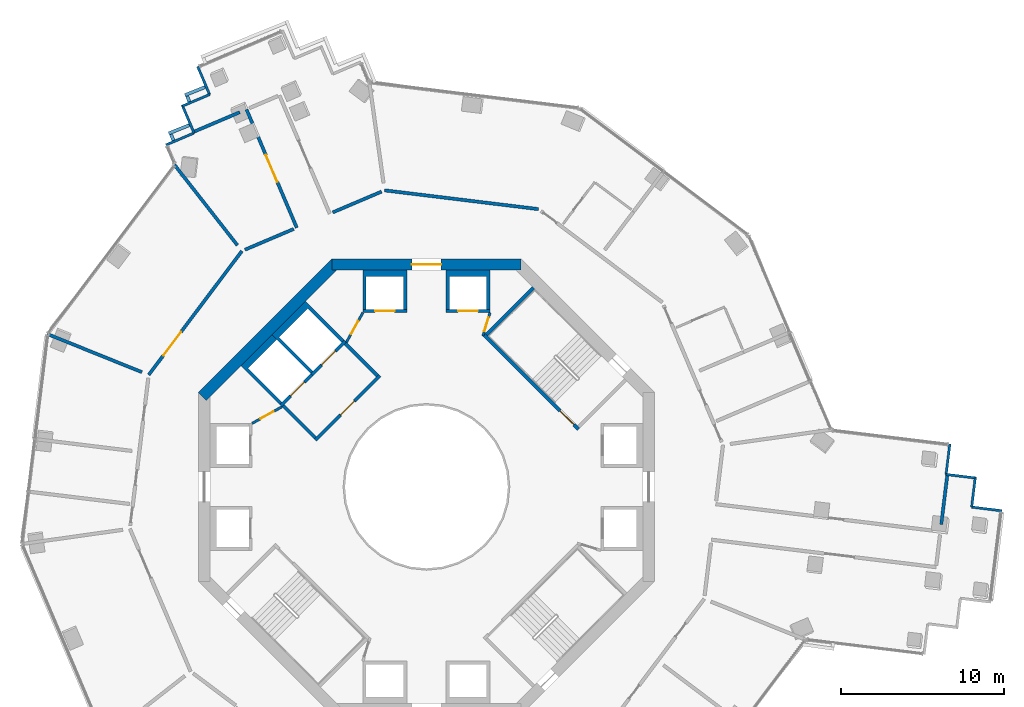
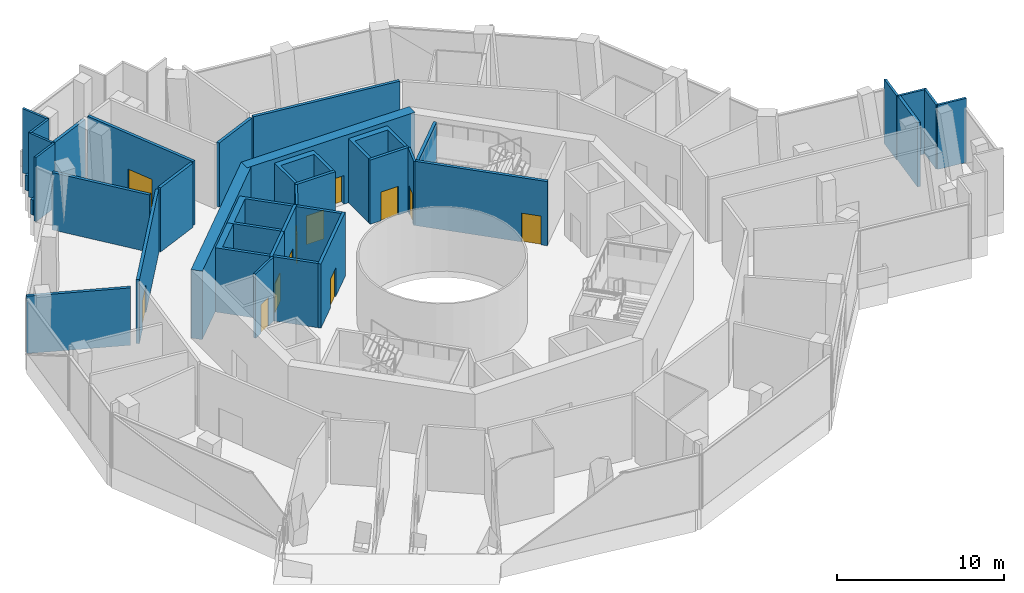
# One storey, part 10 of 17: 39 walls, 12 doors, 12 openings.
"""IFC4 building model written with IfcOpenShell, lengths in metres."""

from ifc_helpers import new_model, si_unit, direction, frame, frame_2d, origin, place, context, subcontext, project, spatial, polyline, rectangle, outline, extrude, material, layer, layer_set, type_object, element, fill, save


model = new_model("IFC4")

# Units and contexts
model_context = context("Model", 3, precision=1e-05, world=origin(), true_north=direction((0.0, 1.0)))
body_context = subcontext(model_context, "Body", "Model", "MODEL_VIEW")
ifc_project = project(units=[si_unit("LENGTHUNIT", "METRE"), si_unit("AREAUNIT", "SQUARE_METRE"), si_unit("VOLUMEUNIT", "CUBIC_METRE"), si_unit("PLANEANGLEUNIT", "RADIAN"), si_unit("MASSUNIT", "GRAM", prefix="KILO")], contexts=[model_context])

# Site, building, storey
site_placement = place(None, origin())
site = spatial("IfcSite", under=ifc_project, at=site_placement, CompositionType="ELEMENT")
building_placement = place(site_placement, origin())
building = spatial("IfcBuilding", under=site, at=building_placement, Name="Verdalira Terraces Hotel", CompositionType="ELEMENT")
storey_placement = place(building_placement, frame((0.0, 0.0, 128.0)))
storey = spatial("IfcBuildingStorey", under=building, at=storey_placement, Name="L30", CompositionType="ELEMENT", Elevation=128.0)

# Wall
ifc_material_1 = material(Name="Concrete C50", Category="concrete")
ifc_layer_1 = layer(ifc_material_1, 0.199951171875)
ifc_layer_set_1 = layer_set([ifc_layer_1], Name="Core RC wall 200 C50")
wall_type_1 = type_object("IfcWallType", Name="Core RC wall 200 C50", PredefinedType="SOLIDWALL", material=ifc_layer_set_1)
wall_1_placement = place(storey_placement, origin())
element("IfcWall", 1, at=wall_1_placement, inside=storey, type_object=wall_type_1, Name="L30 shaft wall N1", PredefinedType="SOLIDWALL", context=body_context, shape_type="SweptSolid", body=[
    extrude(outline(polyline([(3.899902, 13.300049), (3.899902, 10.899902), (3.699951, 10.899902), (3.699951, 12.899902), (1.399902, 12.899902), (1.399902, 10.899902), (1.199951, 10.899902), (1.199951, 13.300049), (3.899902, 13.300049)])), origin(), (0.0, 0.0, 1.0), 4.689941),
])

# Wall, opening, door
wall_2_placement = place(storey_placement, frame((1.199951, 10.800049, 0.0), z_axis=(0.0, 0.0, 1.0), x_axis=(1.0, 0.0, 0.0)))
wall_2 = element("IfcWall", 2, at=wall_2_placement, inside=storey, type_object=wall_type_1, Name="L30 shaft front wall N1", PredefinedType="SOLIDWALL", context=body_context, shape_type="SweptSolid", body=[
    extrude(rectangle(XDim=2.699951, YDim=0.199951, at=frame_2d((1.350098, 0.0))), origin(), (0.0, 0.0, 1.0), 4.689941),
])
opening_1_placement = place(wall_2_placement, frame((0.75, 0.0, 0.0)))
opening_1 = element("IfcOpeningElement", 3, at=opening_1_placement, cuts=wall_2, Name="Opening LD-L30-803", PredefinedType="OPENING", context=body_context, shape_type="SweptSolid", body=[
    extrude(rectangle(XDim=1.199951, YDim=2.100098, at=frame_2d((0.600098, 1.050049))), frame((0.0, 0.109863, 0.0), z_axis=(0.0, -1.0, 0.0), x_axis=(1.0, 0.0, 0.0)), (0.0, 0.0, 1.0), 0.219971),
])
ifc_material_2 = material(Name="Stainless steel", Category="steel")
door_type_1 = type_object("IfcDoorType", Name="Landing door 1200 x 2100", OperationType="NOTDEFINED", PredefinedType="DOOR", material=ifc_material_2)
door_1_placement = place(opening_1_placement, origin())
door_1 = element("IfcDoor", 4, at=door_1_placement, inside=storey, type_object=door_type_1, Name="Lift landing door LR3 L30", OperationType="DOUBLE_DOOR_SLIDING", OverallHeight=2.10009765625, OverallWidth=1.199951171875, PredefinedType="DOOR", context=body_context, shape_type="SweptSolid", body=[
    extrude(rectangle(XDim=1.199951, YDim=2.100098, at=frame_2d((0.600098, 1.050049))), frame((0.0, 0.024902, 0.0), z_axis=(0.0, -1.0, 0.0), x_axis=(1.0, 0.0, 0.0)), (0.0, 0.0, 1.0), 0.050049),
])
fill(opening_1, door_1)

# Wall
wall_3_placement = place(storey_placement, origin())
element("IfcWall", 5, at=wall_3_placement, inside=storey, type_object=wall_type_1, Name="L30 shaft wall N2", PredefinedType="SOLIDWALL", context=body_context, shape_type="SweptSolid", body=[
    extrude(outline(polyline([(-3.899902, 10.899902), (-3.899902, 13.300049), (-1.199951, 13.300049), (-1.199951, 10.899902), (-1.399902, 10.899902), (-1.399902, 12.899902), (-3.699951, 12.899902), (-3.699951, 10.899902), (-3.899902, 10.899902)])), origin(), (0.0, 0.0, 1.0), 4.689941),
])

# Wall, opening, door
wall_4_placement = place(storey_placement, frame((-1.199951, 10.800049, 0.0), z_axis=(0.0, 0.0, 1.0), x_axis=(-1.0, 0.0, 0.0)))
wall_4 = element("IfcWall", 6, at=wall_4_placement, inside=storey, type_object=wall_type_1, Name="L30 shaft front wall N2", PredefinedType="SOLIDWALL", context=body_context, shape_type="SweptSolid", body=[
    extrude(rectangle(XDim=2.699951, YDim=0.199951, at=frame_2d((1.350098, 0.0))), origin(), (0.0, 0.0, 1.0), 4.689941),
])
opening_2_placement = place(wall_4_placement, frame((0.75, 0.0, 0.0)))
opening_2 = element("IfcOpeningElement", 7, at=opening_2_placement, cuts=wall_4, Name="Opening LD-L30-804", PredefinedType="OPENING", context=body_context, shape_type="SweptSolid", body=[
    extrude(rectangle(XDim=1.199951, YDim=2.100098, at=frame_2d((0.600098, 1.050049))), frame((0.0, 0.109863, 0.0), z_axis=(0.0, -1.0, 0.0), x_axis=(1.0, 0.0, 0.0)), (0.0, 0.0, 1.0), 0.219971),
])
door_2_placement = place(opening_2_placement, origin())
door_2 = element("IfcDoor", 8, at=door_2_placement, inside=storey, type_object=door_type_1, Name="Lift landing door LR4 L30", OperationType="DOUBLE_DOOR_SLIDING", OverallHeight=2.10009765625, OverallWidth=1.199951171875, PredefinedType="DOOR", context=body_context, shape_type="SweptSolid", body=[
    extrude(rectangle(XDim=1.199951, YDim=2.100098, at=frame_2d((0.600098, 1.050049))), frame((0.0, 0.024902, 0.0), z_axis=(0.0, -1.0, 0.0), x_axis=(1.0, 0.0, 0.0)), (0.0, 0.0, 1.0), 0.050049),
])
fill(opening_2, door_2)

# Wall
wall_5_placement = place(storey_placement, origin())
element("IfcWall", 9, at=wall_5_placement, inside=storey, type_object=wall_type_1, Name="L30 shaft wall F1", PredefinedType="SOLIDWALL", context=body_context, shape_type="SweptSolid", body=[
    extrude(outline(polyline([(-9.475098, 9.33374), (-7.424561, 11.384521), (-5.055908, 9.015625), (-5.197266, 8.874268), (-7.283203, 10.960205), (-9.051025, 9.192383), (-6.965088, 7.106445), (-7.106445, 6.965088), (-9.475098, 9.33374)])), origin(), (0.0, 0.0, 1.0), 4.689941),
])

# Wall, opening, door
wall_6_placement = place(storey_placement, frame((-4.985107, 8.944824, 0.0), z_axis=(0.0, 0.0, 1.0), x_axis=(-0.707106781, -0.707106781, 0.0)))
wall_6 = element("IfcWall", 10, at=wall_6_placement, inside=storey, type_object=wall_type_1, Name="L30 shaft front wall F1", PredefinedType="SOLIDWALL", context=body_context, shape_type="SweptSolid", body=[
    extrude(rectangle(XDim=2.899902, YDim=0.199951, at=frame_2d((1.449951, 0.0))), origin(), (0.0, 0.0, 1.0), 4.689941),
])
opening_3_placement = place(wall_6_placement, frame((0.850098, 0.0, 0.0)))
opening_3 = element("IfcOpeningElement", 11, at=opening_3_placement, cuts=wall_6, Name="Opening LD-L30-807", PredefinedType="OPENING", context=body_context, shape_type="SweptSolid", body=[
    extrude(rectangle(XDim=1.199951, YDim=2.100098, at=frame_2d((0.600098, 1.050049))), frame((0.0, 0.109863, 0.0), z_axis=(0.0, -1.0, 0.0), x_axis=(1.0, 0.0, 0.0)), (0.0, 0.0, 1.0), 0.219971),
])
door_3_placement = place(opening_3_placement, origin())
door_3 = element("IfcDoor", 12, at=door_3_placement, inside=storey, type_object=door_type_1, Name="Lift landing door LF11 L30", OperationType="DOUBLE_DOOR_SLIDING", OverallHeight=2.10009765625, OverallWidth=1.199951171875, PredefinedType="DOOR", context=body_context, shape_type="SweptSolid", body=[
    extrude(rectangle(XDim=1.199951, YDim=2.100098, at=frame_2d((0.600098, 1.050049))), frame((0.0, 0.024902, 0.0), z_axis=(0.0, -1.0, 0.0), x_axis=(1.0, 0.0, 0.0)), (0.0, 0.0, 1.0), 0.050049),
])
fill(opening_3, door_3)

# Wall
wall_7_placement = place(storey_placement, origin())
element("IfcWall", 13, at=wall_7_placement, inside=storey, type_object=wall_type_1, Name="L30 shaft wall F2", PredefinedType="SOLIDWALL", context=body_context, shape_type="SweptSolid", body=[
    extrude(outline(polyline([(-11.384521, 7.424561), (-9.475098, 9.33374), (-9.192383, 9.051025), (-10.960205, 7.283203), (-8.874268, 5.197266), (-9.015625, 5.055908), (-11.384521, 7.424561)])), origin(), (0.0, 0.0, 1.0), 4.689941),
])

# Wall, opening, door
wall_8_placement = place(storey_placement, frame((-7.035645, 6.894287, 0.0), z_axis=(0.0, 0.0, 1.0), x_axis=(-0.707106781, -0.707106781, 0.0)))
wall_8 = element("IfcWall", 14, at=wall_8_placement, inside=storey, type_object=wall_type_1, Name="L30 shaft front wall F2", PredefinedType="SOLIDWALL", context=body_context, shape_type="SweptSolid", body=[
    extrude(rectangle(XDim=2.699951, YDim=0.199951, at=frame_2d((1.350098, 0.0))), origin(), (0.0, 0.0, 1.0), 4.689941),
])
opening_4_placement = place(wall_8_placement, frame((0.649902, 0.0, 0.0)))
opening_4 = element("IfcOpeningElement", 15, at=opening_4_placement, cuts=wall_8, Name="Opening LD-L30-808", PredefinedType="OPENING", context=body_context, shape_type="SweptSolid", body=[
    extrude(rectangle(XDim=1.199951, YDim=2.100098, at=frame_2d((0.600098, 1.050049))), frame((0.0, 0.109863, 0.0), z_axis=(0.0, -1.0, 0.0), x_axis=(1.0, 0.0, 0.0)), (0.0, 0.0, 1.0), 0.219971),
])
door_4_placement = place(opening_4_placement, origin())
door_4 = element("IfcDoor", 16, at=door_4_placement, inside=storey, type_object=door_type_1, Name="Lift landing door LF12 L30", OperationType="DOUBLE_DOOR_SLIDING", OverallHeight=2.10009765625, OverallWidth=1.199951171875, PredefinedType="DOOR", context=body_context, shape_type="SweptSolid", body=[
    extrude(rectangle(XDim=1.199951, YDim=2.100098, at=frame_2d((0.600098, 1.050049))), frame((0.0, 0.024902, 0.0), z_axis=(0.0, -1.0, 0.0), x_axis=(1.0, 0.0, 0.0)), (0.0, 0.0, 1.0), 0.050049),
])
fill(opening_4, door_4)

wall_9_placement = place(storey_placement, frame((3.5354, 9.33374, 0.0), z_axis=(0.0, 0.0, 1.0), x_axis=(0.707106781, -0.707106781, 0.0)))
wall_9 = element("IfcWall", 17, at=wall_9_placement, inside=storey, type_object=wall_type_1, Name="L30 stair ST1 front wall", PredefinedType="SOLIDWALL", context=body_context, shape_type="SweptSolid", body=[
    extrude(rectangle(XDim=8.200195, YDim=0.199951, at=frame_2d((4.100098, 0.0))), origin(), (0.0, 0.0, 1.0), 4.689941),
])
opening_5_placement = place(wall_9_placement, frame((6.600098, 0.0, 0.0)))
opening_5 = element("IfcOpeningElement", 18, at=opening_5_placement, cuts=wall_9, Name="Opening L30-809", PredefinedType="OPENING", context=body_context, shape_type="SweptSolid", body=[
    extrude(rectangle(XDim=1.199951, YDim=2.100098, at=frame_2d((0.600098, 1.050049))), frame((0.0, 0.109863, 0.0), z_axis=(0.0, -1.0, 0.0), x_axis=(1.0, 0.0, 0.0)), (0.0, 0.0, 1.0), 0.219971),
])
ifc_material_3 = material(Name="Steel fire door", Category="steel")
door_type_2 = type_object("IfcDoorType", Name="Stair door 1200 x 2100", OperationType="NOTDEFINED", PredefinedType="DOOR", material=ifc_material_3)
door_5_placement = place(opening_5_placement, origin())
door_5 = element("IfcDoor", 19, at=door_5_placement, inside=storey, type_object=door_type_2, Name="Stair door ST1 L30", OperationType="SINGLE_SWING_RIGHT", OverallHeight=2.10009765625, OverallWidth=1.199951171875, PredefinedType="DOOR", context=body_context, shape_type="SweptSolid", body=[
    extrude(rectangle(XDim=1.199951, YDim=2.100098, at=frame_2d((0.600098, 1.050049))), frame((0.0, 0.024902, 0.0), z_axis=(0.0, -1.0, 0.0), x_axis=(1.0, 0.0, 0.0)), (0.0, 0.0, 1.0), 0.050049),
])
fill(opening_5, door_5)

# Wall
wall_10_placement = place(storey_placement, frame((3.677002, 9.33374, 0.0), z_axis=(0.0, 0.0, 1.0), x_axis=(0.707106781, 0.707106781, 0.0)))
element("IfcWall", 20, at=wall_10_placement, inside=storey, type_object=wall_type_1, Name="L30 stair ST1 end wall 2", PredefinedType="SOLIDWALL", context=body_context, shape_type="SweptSolid", body=[
    extrude(rectangle(XDim=4.100098, YDim=0.199951, at=frame_2d((2.050049, 0.0))), origin(), (0.0, 0.0, 1.0), 4.689941),
])

# Wall, opening, door
wall_11_placement = place(storey_placement, frame((-2.86377, 6.823486, 0.0), z_axis=(0.0, 0.0, 1.0), x_axis=(-0.707106781, -0.707106781, 0.0)))
wall_11 = element("IfcWall", 21, at=wall_11_placement, inside=storey, type_object=wall_type_1, Name="L30 fire lobby wall", PredefinedType="SOLIDWALL", context=body_context, shape_type="SweptSolid", body=[
    extrude(rectangle(XDim=5.599854, YDim=0.199951, at=frame_2d((2.799805, 0.0))), origin(), (0.0, 0.0, 1.0), 4.689941),
])
opening_6_placement = place(wall_11_placement, frame((2.199951, 0.0, 0.0)))
opening_6 = element("IfcOpeningElement", 22, at=opening_6_placement, cuts=wall_11, Name="Opening L30-819", PredefinedType="OPENING", context=body_context, shape_type="SweptSolid", body=[
    extrude(rectangle(XDim=1.199951, YDim=2.100098, at=frame_2d((0.600098, 1.050049))), frame((0.0, 0.109863, 0.0), z_axis=(0.0, -1.0, 0.0), x_axis=(1.0, 0.0, 0.0)), (0.0, 0.0, 1.0), 0.219971),
])
ifc_material_4 = material(Name="Steel fire door", Category="steel")
door_type_3 = type_object("IfcDoorType", Name="Lobby door 1200 x 2100", OperationType="NOTDEFINED", PredefinedType="DOOR", material=ifc_material_4)
door_6_placement = place(opening_6_placement, origin())
door_6 = element("IfcDoor", 23, at=door_6_placement, inside=storey, type_object=door_type_3, Name="Fire lobby door L30", OperationType="SINGLE_SWING_LEFT", OverallHeight=2.10009765625, OverallWidth=1.199951171875, PredefinedType="DOOR", context=body_context, shape_type="SweptSolid", body=[
    extrude(rectangle(XDim=1.199951, YDim=2.100098, at=frame_2d((0.600098, 1.050049))), frame((0.0, 0.024902, 0.0), z_axis=(0.0, -1.0, 0.0), x_axis=(1.0, 0.0, 0.0)), (0.0, 0.0, 1.0), 0.050049),
])
fill(opening_6, door_6)

# Walls
for number, where, z_axis, x_axis, name in (
    (24, (-3.005127, 6.823486, 0.0), (0.0, 0.0, 1.0), (-0.707106781, 0.707106781, 0.0), "L30 fire lobby wall"),
    (25, (-6.823486, 3.005127, 0.0), (0.0, 0.0, 1.0), (-0.707106781, 0.707106781, 0.0), "L30 fire lobby wall"),
):
    element("IfcWall", number, at=place(storey_placement, frame(where, z_axis=z_axis, x_axis=x_axis)), inside=storey, type_object=wall_type_1, Name=name, PredefinedType="SOLIDWALL", context=body_context, shape_type="SweptSolid", body=[
        extrude(rectangle(XDim=2.800049, YDim=0.199951, at=frame_2d((1.399902, 0.0))), origin(), (0.0, 0.0, 1.0), 4.689941),
    ])

# Wall, opening, door
ifc_material_5 = material(Name="Gypsum board partition")
ifc_layer_2 = layer(ifc_material_5, 0.14990234375)
ifc_layer_set_2 = layer_set([ifc_layer_2], Name="Core partition 150 mm")
wall_type_2 = type_object("IfcWallType", Name="Core partition 150 mm", PredefinedType="PARTITIONING", material=ifc_layer_set_2)
wall_12_placement = place(storey_placement, frame((3.464844, 9.263184, 0.0), z_axis=(0.0, 0.0, 1.0), x_axis=(0.289808785, 0.957084567, 0.0)))
wall_12 = element("IfcWall", 26, at=wall_12_placement, inside=storey, type_object=wall_type_2, Name="Room partition L30", PredefinedType="PARTITIONING", context=body_context, shape_type="SweptSolid", body=[
    extrude(rectangle(XDim=1.501221, YDim=0.149902, at=frame_2d((0.750488, 0.0))), origin(), (0.0, 0.0, 1.0), 4.689941),
])
opening_7_placement = place(wall_12_placement, frame((0.300781, 0.0, 0.0)))
opening_7 = element("IfcOpeningElement", 27, at=opening_7_placement, cuts=wall_12, Name="Opening L30-820", PredefinedType="OPENING", context=body_context, shape_type="SweptSolid", body=[
    extrude(rectangle(XDim=0.899902, YDim=2.100098, at=frame_2d((0.449951, 1.050049))), frame((0.0, 0.084961, 0.0), z_axis=(0.0, -1.0, 0.0), x_axis=(1.0, 0.0, 0.0)), (0.0, 0.0, 1.0), 0.169922),
])
ifc_material_6 = material(Name="Steel fire door", Category="steel")
door_type_4 = type_object("IfcDoorType", Name="Core room door 900 x 2100", OperationType="NOTDEFINED", PredefinedType="DOOR", material=ifc_material_6)
door_7_placement = place(opening_7_placement, origin())
door_7 = element("IfcDoor", 28, at=door_7_placement, inside=storey, type_object=door_type_4, Name="Door L30 room1", OperationType="SINGLE_SWING_LEFT", OverallHeight=2.10009765625, OverallWidth=0.89990234375, PredefinedType="DOOR", context=body_context, shape_type="SweptSolid", body=[
    extrude(rectangle(XDim=0.899902, YDim=2.100098, at=frame_2d((0.449951, 1.050049))), frame((0.0, 0.024902, 0.0), z_axis=(0.0, -1.0, 0.0), x_axis=(1.0, 0.0, 0.0)), (0.0, 0.0, 1.0), 0.050049),
])
fill(opening_7, door_7)

wall_13_placement = place(storey_placement, frame((-3.899902, 10.699951, 0.0), z_axis=(0.0, 0.0, 1.0), x_axis=(-0.485692555, -0.874129705, 0.0)))
wall_13 = element("IfcWall", 29, at=wall_13_placement, inside=storey, type_object=wall_type_2, Name="Room partition L30", PredefinedType="PARTITIONING", context=body_context, shape_type="SweptSolid", body=[
    extrude(rectangle(XDim=2.088623, YDim=0.149902, at=frame_2d((1.044434, 0.0))), origin(), (0.0, 0.0, 1.0), 4.689941),
])
opening_8_placement = place(wall_13_placement, frame((0.594238, 0.0, 0.0)))
opening_8 = element("IfcOpeningElement", 30, at=opening_8_placement, cuts=wall_13, Name="Opening L30-821", PredefinedType="OPENING", context=body_context, shape_type="SweptSolid", body=[
    extrude(rectangle(XDim=0.899902, YDim=2.100098, at=frame_2d((0.449951, 1.050049))), frame((0.0, 0.084961, 0.0), z_axis=(0.0, -1.0, 0.0), x_axis=(1.0, 0.0, 0.0)), (0.0, 0.0, 1.0), 0.169922),
])
door_8_placement = place(opening_8_placement, origin())
door_8 = element("IfcDoor", 31, at=door_8_placement, inside=storey, type_object=door_type_4, Name="Door L30 room2", OperationType="SINGLE_SWING_LEFT", OverallHeight=2.10009765625, OverallWidth=0.89990234375, PredefinedType="DOOR", context=body_context, shape_type="SweptSolid", body=[
    extrude(rectangle(XDim=0.899902, YDim=2.100098, at=frame_2d((0.449951, 1.050049))), frame((0.0, 0.024902, 0.0), z_axis=(0.0, -1.0, 0.0), x_axis=(1.0, 0.0, 0.0)), (0.0, 0.0, 1.0), 0.050049),
])
fill(opening_8, door_8)

wall_14_placement = place(storey_placement, frame((-8.874268, 4.914307, 0.0), z_axis=(0.0, 0.0, 1.0), x_axis=(-0.874129705, -0.485692555, 0.0)))
wall_14 = element("IfcWall", 32, at=wall_14_placement, inside=storey, type_object=wall_type_2, Name="Room partition L30", PredefinedType="PARTITIONING", context=body_context, shape_type="SweptSolid", body=[
    extrude(rectangle(XDim=2.088623, YDim=0.149902, at=frame_2d((1.044434, 0.0))), origin(), (0.0, 0.0, 1.0), 4.689941),
])
opening_9_placement = place(wall_14_placement, frame((0.594238, 0.0, 0.0)))
opening_9 = element("IfcOpeningElement", 33, at=opening_9_placement, cuts=wall_14, Name="Opening L30-822", PredefinedType="OPENING", context=body_context, shape_type="SweptSolid", body=[
    extrude(rectangle(XDim=0.899902, YDim=2.100098, at=frame_2d((0.449951, 1.050049))), frame((0.0, 0.084961, 0.0), z_axis=(0.0, -1.0, 0.0), x_axis=(1.0, 0.0, 0.0)), (0.0, 0.0, 1.0), 0.169922),
])
door_9_placement = place(opening_9_placement, origin())
door_9 = element("IfcDoor", 34, at=door_9_placement, inside=storey, type_object=door_type_4, Name="Door L30 room3", OperationType="SINGLE_SWING_LEFT", OverallHeight=2.10009765625, OverallWidth=0.89990234375, PredefinedType="DOOR", context=body_context, shape_type="SweptSolid", body=[
    extrude(rectangle(XDim=0.899902, YDim=2.100098, at=frame_2d((0.449951, 1.050049))), frame((0.0, 0.024902, 0.0), z_axis=(0.0, -1.0, 0.0), x_axis=(1.0, 0.0, 0.0)), (0.0, 0.0, 1.0), 0.050049),
])
fill(opening_9, door_9)

ifc_material_7 = material(Name="Concrete C60", Category="concrete")
ifc_layer_3 = layer(ifc_material_7, 0.699951171875)
ifc_layer_set_3 = layer_set([ifc_layer_3], Name="Core wall 700 C60")
wall_type_3 = type_object("IfcWallType", Name="Core wall 700 C60", PredefinedType="SHEAR", material=ifc_layer_set_3)
wall_15_placement = place(storey_placement, frame((5.799072, 13.649902, 0.0), z_axis=(0.0, 0.0, 1.0), x_axis=(-1.0, 0.0, 0.0)))
wall_15 = element("IfcWall", 35, at=wall_15_placement, inside=storey, type_object=wall_type_3, Name="Core wall CW-L30-3", PredefinedType="SHEAR", context=body_context, shape_type="SweptSolid", body=[
    extrude(rectangle(XDim=11.598145, YDim=0.699951, at=frame_2d((5.799072, 0.0))), origin(), (0.0, 0.0, 1.0), 5.0),
])
opening_10_placement = place(wall_15_placement, frame((4.898926, 0.0, 0.0)))
opening_10 = element("IfcOpeningElement", 36, at=opening_10_placement, cuts=wall_15, Name="Opening L30-813", PredefinedType="OPENING", context=body_context, shape_type="SweptSolid", body=[
    extrude(rectangle(XDim=1.800049, YDim=2.100098, at=frame_2d((0.899902, 1.050049))), frame((0.0, 0.359863, 0.0), z_axis=(0.0, -1.0, 0.0), x_axis=(1.0, 0.0, 0.0)), (0.0, 0.0, 1.0), 0.719971),
])
ifc_material_8 = material(Name="Steel fire door", Category="steel")
door_type_5 = type_object("IfcDoorType", Name="Core entry door pair 1800 x 2100", OperationType="NOTDEFINED", PredefinedType="DOOR", material=ifc_material_8)
door_10_placement = place(opening_10_placement, origin())
door_10 = element("IfcDoor", 37, at=door_10_placement, inside=storey, type_object=door_type_5, Name="Core entry door L30 2", OperationType="DOUBLE_DOOR_SINGLE_SWING", OverallHeight=2.10009765625, OverallWidth=1.800048828125, PredefinedType="DOOR", context=body_context, shape_type="SweptSolid", body=[
    extrude(rectangle(XDim=1.800049, YDim=2.100098, at=frame_2d((0.899902, 1.050049))), frame((0.0, 0.024902, 0.0), z_axis=(0.0, -1.0, 0.0), x_axis=(1.0, 0.0, 0.0)), (0.0, 0.0, 1.0), 0.050049),
])
fill(opening_10, door_10)

# Walls
wall_16_placement = place(storey_placement, frame((-5.551514, 13.752441, 0.0), z_axis=(0.0, 0.0, 1.0), x_axis=(-0.707106781, -0.707106781, 0.0)))
element("IfcWall", 38, at=wall_16_placement, inside=storey, type_object=wall_type_3, Name="Core wall CW-L30-4", PredefinedType="SHEAR", context=body_context, shape_type="SweptSolid", body=[
    extrude(rectangle(XDim=11.5979, YDim=0.699951, at=frame_2d((5.798828, 0.0))), origin(), (0.0, 0.0, 1.0), 5.0),
])
ifc_material_9 = material(Name="Fire-rated gypsum board wall")
ifc_layer_4 = layer(ifc_material_9, 0.199951171875)
ifc_layer_set_4 = layer_set([ifc_layer_4], Name="Demising wall 200 mm")
wall_type_4 = type_object("IfcWallType", Name="Demising wall 200 mm", PredefinedType="SOLIDWALL", material=ifc_layer_set_4)
wall_17_placement = place(storey_placement, frame((-11.460693, 22.999268, 0.0), z_axis=(0.0, 0.0, 1.0), x_axis=(-0.92021039, -0.391424115, 0.0)))
element("IfcWall", 39, at=wall_17_placement, inside=storey, type_object=wall_type_4, Name="Demising wall", PredefinedType="SOLIDWALL", context=body_context, shape_type="SweptSolid", body=[
    extrude(rectangle(XDim=3.154785, YDim=0.199951, at=frame_2d((1.577393, 0.0))), origin(), (0.0, 0.0, 1.0), 4.689941),
])
ifc_material_10 = material(Name="Fire-rated gypsum board wall")
ifc_layer_5 = layer(ifc_material_10, 0.199951171875)
ifc_layer_set_5 = layer_set([ifc_layer_5], Name="Demising wall 200 mm to beam soffit")
wall_type_5 = type_object("IfcWallType", Name="Demising wall 200 mm to beam soffit", PredefinedType="SOLIDWALL", material=ifc_layer_set_5)
wall_18_placement = place(storey_placement, frame((-11.604492, 14.831787, 0.0), z_axis=(0.0, 0.0, 1.0), x_axis=(-0.61622233, 0.787572245, 0.0)))
element("IfcWall", 40, at=wall_18_placement, inside=storey, type_object=wall_type_5, Name="Demising wall", PredefinedType="SOLIDWALL", context=body_context, shape_type="SweptSolid", body=[
    extrude(rectangle(XDim=6.281982, YDim=0.199951, at=frame_2d((3.141113, 0.0))), origin(), (0.0, 0.0, 1.0), 4.189941),
])

# Wall, opening, door
ifc_material_11 = material(Name="Fire-rated gypsum board wall")
ifc_layer_6 = layer(ifc_material_11, 0.199951171875)
ifc_layer_set_6 = layer_set([ifc_layer_6], Name="Guest corridor wall 200 mm")
wall_type_6 = type_object("IfcWallType", Name="Guest corridor wall 200 mm", PredefinedType="SOLIDWALL", material=ifc_layer_set_6)
wall_19_placement = place(storey_placement, frame((-17.050781, 6.875244, 0.0), z_axis=(0.0, 0.0, 1.0), x_axis=(0.601259394, 0.799053904, 0.0)))
wall_19 = element("IfcWall", 41, at=wall_19_placement, inside=storey, type_object=wall_type_6, Name="Guest corridor wall", PredefinedType="SOLIDWALL", context=body_context, shape_type="SweptSolid", body=[
    extrude(rectangle(XDim=9.516602, YDim=0.199951, at=frame_2d((4.758301, 0.0))), origin(), (0.0, 0.0, 1.0), 4.689941),
])
opening_11_placement = place(wall_19_placement, frame((1.5, 0.0, 0.0)))
opening_11 = element("IfcOpeningElement", 42, at=opening_11_placement, cuts=wall_19, Name="Opening L30-103", PredefinedType="OPENING", context=body_context, shape_type="SweptSolid", body=[
    extrude(rectangle(XDim=1.800049, YDim=2.100098, at=frame_2d((0.899902, 1.050049))), frame((0.0, 0.109863, 0.0), z_axis=(0.0, -1.0, 0.0), x_axis=(1.0, 0.0, 0.0)), (0.0, 0.0, 1.0), 0.219971),
])
ifc_material_12 = material(Name="Timber fire door", Category="wood")
door_type_6 = type_object("IfcDoorType", Name="Public room double door 1800 x 2100", OperationType="NOTDEFINED", PredefinedType="DOOR", material=ifc_material_12)
door_11_placement = place(opening_11_placement, origin())
door_11 = element("IfcDoor", 43, at=door_11_placement, inside=storey, type_object=door_type_6, Name="Public room double door 3003", OperationType="DOUBLE_DOOR_SINGLE_SWING", OverallHeight=2.10009765625, OverallWidth=1.800048828125, PredefinedType="DOOR", context=body_context, shape_type="SweptSolid", body=[
    extrude(rectangle(XDim=1.800049, YDim=2.100098, at=frame_2d((0.899902, 1.050049))), frame((0.0, 0.024902, 0.0), z_axis=(0.0, -1.0, 0.0), x_axis=(1.0, 0.0, 0.0)), (0.0, 0.0, 1.0), 0.050049),
])
fill(opening_11, door_11)

# Wall
wall_20_placement = place(storey_placement, frame((-8.146484, 15.833008, 0.0), z_axis=(0.0, 0.0, 1.0), x_axis=(-0.920234459, -0.391367525, 0.0)))
element("IfcWall", 44, at=wall_20_placement, inside=storey, type_object=wall_type_6, Name="Guest corridor wall", PredefinedType="SOLIDWALL", context=body_context, shape_type="SweptSolid", body=[
    extrude(rectangle(XDim=3.258301, YDim=0.199951, at=frame_2d((1.62915, 0.0))), origin(), (0.0, 0.0, 1.0), 4.689941),
])

# Wall, opening, door
wall_21_placement = place(storey_placement, frame((-7.962402, 15.911377, 0.0), z_axis=(0.0, 0.0, 1.0), x_axis=(-0.39138629, 0.920226479, 0.0)))
wall_21 = element("IfcWall", 45, at=wall_21_placement, inside=storey, type_object=wall_type_6, Name="Guest corridor wall", PredefinedType="SOLIDWALL", context=body_context, shape_type="SweptSolid", body=[
    extrude(rectangle(XDim=7.891602, YDim=0.199951, at=frame_2d((3.945801, 0.0))), origin(), (0.0, 0.0, 1.0), 4.689941),
])
opening_12_placement = place(wall_21_placement, frame((3.050049, 0.0, 0.0)))
opening_12 = element("IfcOpeningElement", 46, at=opening_12_placement, cuts=wall_21, Name="Opening L30-102", PredefinedType="OPENING", context=body_context, shape_type="SweptSolid", body=[
    extrude(rectangle(XDim=1.800049, YDim=2.100098, at=frame_2d((0.899902, 1.050049))), frame((0.0, 0.109863, 0.0), z_axis=(0.0, -1.0, 0.0), x_axis=(1.0, 0.0, 0.0)), (0.0, 0.0, 1.0), 0.219971),
])
door_12_placement = place(opening_12_placement, origin())
door_12 = element("IfcDoor", 47, at=door_12_placement, inside=storey, type_object=door_type_6, Name="Public room double door 3002", OperationType="DOUBLE_DOOR_SINGLE_SWING", OverallHeight=2.10009765625, OverallWidth=1.800048828125, PredefinedType="DOOR", context=body_context, shape_type="SweptSolid", body=[
    extrude(rectangle(XDim=1.800049, YDim=2.100098, at=frame_2d((0.899902, 1.050049))), frame((0.0, 0.024902, 0.0), z_axis=(0.0, -1.0, 0.0), x_axis=(1.0, 0.0, 0.0)), (0.0, 0.0, 1.0), 0.050049),
])
fill(opening_12, door_12)

# Walls
wall_22_placement = place(storey_placement, frame((-2.755615, 18.125732, 0.0), z_axis=(0.0, 0.0, 1.0), x_axis=(-0.920234459, -0.391367525, 0.0)))
element("IfcWall", 48, at=wall_22_placement, inside=storey, type_object=wall_type_6, Name="Guest corridor wall", PredefinedType="SOLIDWALL", context=body_context, shape_type="SweptSolid", body=[
    extrude(rectangle(XDim=3.258301, YDim=0.199951, at=frame_2d((1.62915, 0.0))), origin(), (0.0, 0.0, 1.0), 4.689941),
])
wall_23_placement = place(storey_placement, frame((6.874512, 17.050781, 0.0), z_axis=(0.0, 0.0, 1.0), x_axis=(-0.992628272, 0.121198655, 0.0)))
element("IfcWall", 49, at=wall_23_placement, inside=storey, type_object=wall_type_6, Name="Guest corridor wall", PredefinedType="SOLIDWALL", context=body_context, shape_type="SweptSolid", body=[
    extrude(rectangle(XDim=9.515869, YDim=0.199951, at=frame_2d((4.757812, 0.0))), origin(), (0.0, 0.0, 1.0), 4.689941),
])
ifc_material_13 = material(Name="Fire-rated gypsum board wall")
ifc_layer_7 = layer(ifc_material_13, 0.199951171875)
ifc_layer_set_7 = layer_set([ifc_layer_7], Name="Service room wall 200 mm")
wall_type_7 = type_object("IfcWallType", Name="Service room wall 200 mm", PredefinedType="SOLIDWALL", material=ifc_layer_set_7)
wall_24_placement = place(storey_placement, frame((31.604004, -2.301514, 0.0), z_axis=(0.0, 0.0, 1.0), x_axis=(0.12118642, 0.992629766, 0.0)))
element("IfcWall", 50, at=wall_24_placement, inside=storey, type_object=wall_type_7, Name="Service room wall", PredefinedType="SOLIDWALL", context=body_context, shape_type="SweptSolid", body=[
    extrude(rectangle(XDim=3.154785, YDim=0.199951, at=frame_2d((1.577393, 0.0))), origin(), (0.0, 0.0, 1.0), 4.689941),
])
ifc_material_14 = material(Name="Fire-rated gypsum board wall")
ifc_layer_8 = layer(ifc_material_14, 0.199951171875)
ifc_layer_set_8 = layer_set([ifc_layer_8], Name="Service room wall 200 mm to beam soffit")
wall_type_8 = type_object("IfcWallType", Name="Service room wall 200 mm to beam soffit", PredefinedType="SOLIDWALL", material=ifc_layer_set_8)
wall_25_placement = place(storey_placement, frame((-17.46582, 7.04248, 0.0), z_axis=(0.0, 0.0, 1.0), x_axis=(-0.927449299, 0.373948925, 0.0)))
element("IfcWall", 51, at=wall_25_placement, inside=storey, type_object=wall_type_8, Name="Service room wall", PredefinedType="SOLIDWALL", context=body_context, shape_type="SweptSolid", body=[
    extrude(rectangle(XDim=6.281982, YDim=0.199951, at=frame_2d((3.141113, 0.0))), origin(), (0.0, 0.0, 1.0), 4.189941),
])
ifc_material_15 = material(Name="Terracotta cladding", Category="masonry")
ifc_layer_9 = layer(ifc_material_15, 0.199951171875)
ifc_layer_set_9 = layer_set([ifc_layer_9], Name="Terracotta clad parapet 200")
wall_type_9 = type_object("IfcWallType", Name="Terracotta clad parapet 200", PredefinedType="PARAPET", material=ifc_layer_set_9)
wall_26_placement = place(storey_placement, frame((-13.591064, 24.544189, 0.0), z_axis=(0.0, 0.0, 1.0), x_axis=(-0.926632281, -0.375968904, 0.0)))
element("IfcWall", 52, at=wall_26_placement, inside=storey, type_object=wall_type_9, Name="Terracotta clad parapet", PredefinedType="PARAPET", context=body_context, shape_type="SweptSolid", body=[
    extrude(rectangle(XDim=1.331787, YDim=0.199951, at=frame_2d((0.666016, 0.0))), origin(), (0.0, 0.0, 1.0), 1.100098),
])
wall_27_placement = place(storey_placement, frame((-14.695068, 23.988525, 0.0), z_axis=(0.0, 0.0, 1.0), x_axis=(0.376097774, -0.926579983, 0.0)))
element("IfcWall", 53, at=wall_27_placement, inside=storey, type_object=wall_type_9, Name="Terracotta clad parapet", PredefinedType="PARAPET", context=body_context, shape_type="SweptSolid", body=[
    extrude(rectangle(XDim=0.375244, YDim=0.199951, at=frame_2d((0.1875, 0.0))), origin(), (0.0, 0.0, 1.0), 1.100098),
])
wall_28_placement = place(storey_placement, frame((-14.554688, 22.210693, 0.0), z_axis=(0.0, 0.0, 1.0), x_axis=(-0.926710585, -0.375775853, 0.0)))
element("IfcWall", 54, at=wall_28_placement, inside=storey, type_object=wall_type_9, Name="Terracotta clad parapet", PredefinedType="PARAPET", context=body_context, shape_type="SweptSolid", body=[
    extrude(rectangle(XDim=1.361816, YDim=0.199951, at=frame_2d((0.680908, 0.0))), origin(), (0.0, 0.0, 1.0), 1.100098),
])
wall_29_placement = place(storey_placement, frame((-15.686279, 21.643799, 0.0), z_axis=(0.0, 0.0, 1.0), x_axis=(0.37574704, -0.926722268, 0.0)))
element("IfcWall", 55, at=wall_29_placement, inside=storey, type_object=wall_type_9, Name="Terracotta clad parapet", PredefinedType="PARAPET", context=body_context, shape_type="SweptSolid", body=[
    extrude(rectangle(XDim=0.405518, YDim=0.199951, at=frame_2d((0.202637, 0.0))), origin(), (0.0, 0.0, 1.0), 1.100098),
])
ifc_material_16 = material(Name="Terracotta cladding", Category="masonry")
ifc_layer_10 = layer(ifc_material_16, 0.14990234375)
ifc_layer_set_10 = layer_set([ifc_layer_10], Name="Terracotta clad wall 150")
wall_type_10 = type_object("IfcWallType", Name="Terracotta clad wall 150", PredefinedType="SOLIDWALL", material=ifc_layer_set_10)
wall_30_placement = place(storey_placement, frame((-14.047363, 25.811035, 0.0), z_axis=(0.0, 0.0, 1.0), x_axis=(0.391419108, -0.92021252, 0.0)))
element("IfcWall", 56, at=wall_30_placement, inside=storey, type_object=wall_type_10, Name="Terracotta cladding wall", PredefinedType="SOLIDWALL", context=body_context, shape_type="SweptSolid", body=[
    extrude(rectangle(XDim=1.875, YDim=0.149902, at=frame_2d((0.9375, 0.0))), origin(), (0.0, 0.0, 1.0), 4.689941),
])
wall_31_placement = place(storey_placement, frame((-13.313477, 24.085693, 0.0), z_axis=(0.0, 0.0, 1.0), x_axis=(-0.920263771, -0.391298597, 0.0)))
element("IfcWall", 57, at=wall_31_placement, inside=storey, type_object=wall_type_10, Name="Terracotta cladding wall", PredefinedType="SOLIDWALL", context=body_context, shape_type="SweptSolid", body=[
    extrude(rectangle(XDim=1.800049, YDim=0.149902, at=frame_2d((0.899902, 0.0))), origin(), (0.0, 0.0, 1.0), 4.689941),
])
wall_32_placement = place(storey_placement, frame((-14.999268, 23.450195, 0.0), z_axis=(0.0, 0.0, 1.0), x_axis=(0.391419108, -0.92021252, 0.0)))
element("IfcWall", 58, at=wall_32_placement, inside=storey, type_object=wall_type_10, Name="Terracotta cladding wall", PredefinedType="SOLIDWALL", context=body_context, shape_type="SweptSolid", body=[
    extrude(rectangle(XDim=1.875, YDim=0.149902, at=frame_2d((0.9375, 0.0))), origin(), (0.0, 0.0, 1.0), 4.689941),
])
wall_33_placement = place(storey_placement, frame((-14.265381, 21.724854, 0.0), z_axis=(0.0, 0.0, 1.0), x_axis=(-0.920232466, -0.391372212, 0.0)))
element("IfcWall", 59, at=wall_33_placement, inside=storey, type_object=wall_type_10, Name="Terracotta cladding wall", PredefinedType="SOLIDWALL", context=body_context, shape_type="SweptSolid", body=[
    extrude(rectangle(XDim=1.875244, YDim=0.149902, at=frame_2d((0.9375, 0.0))), origin(), (0.0, 0.0, 1.0), 4.689941),
])
wall_34_placement = place(storey_placement, frame((35.33252, -1.467285, 0.0), z_axis=(0.0, 0.0, 1.0), x_axis=(-0.99262449, 0.121229621, 0.0)))
element("IfcWall", 60, at=wall_34_placement, inside=storey, type_object=wall_type_10, Name="Terracotta cladding wall", PredefinedType="SOLIDWALL", context=body_context, shape_type="SweptSolid", body=[
    extrude(rectangle(XDim=1.875, YDim=0.149902, at=frame_2d((0.9375, 0.0))), origin(), (0.0, 0.0, 1.0), 4.689941),
])
wall_35_placement = place(storey_placement, frame((33.471436, -1.23999, 0.0), z_axis=(0.0, 0.0, 1.0), x_axis=(0.121129352, 0.992636731, 0.0)))
element("IfcWall", 61, at=wall_35_placement, inside=storey, type_object=wall_type_10, Name="Terracotta cladding wall", PredefinedType="SOLIDWALL", context=body_context, shape_type="SweptSolid", body=[
    extrude(rectangle(XDim=1.799805, YDim=0.149902, at=frame_2d((0.899902, 0.0))), origin(), (0.0, 0.0, 1.0), 4.689941),
])
for number, where, z_axis, x_axis, name in (
    (62, (33.763916, 0.537598, 0.0), (0.0, 0.0, 1.0), (-0.99262449, 0.121229621, 0.0), "Terracotta cladding wall"),
    (63, (31.902832, 0.764893, 0.0), (0.0, 0.0, 1.0), (0.121101317, 0.992640152, 0.0), "Terracotta cladding wall"),
):
    element("IfcWall", number, at=place(storey_placement, frame(where, z_axis=z_axis, x_axis=x_axis)), inside=storey, type_object=wall_type_10, Name=name, PredefinedType="SOLIDWALL", context=body_context, shape_type="SweptSolid", body=[
        extrude(rectangle(XDim=1.875, YDim=0.149902, at=frame_2d((0.9375, 0.0))), origin(), (0.0, 0.0, 1.0), 4.689941),
    ])

save(model, "model.ifc")
